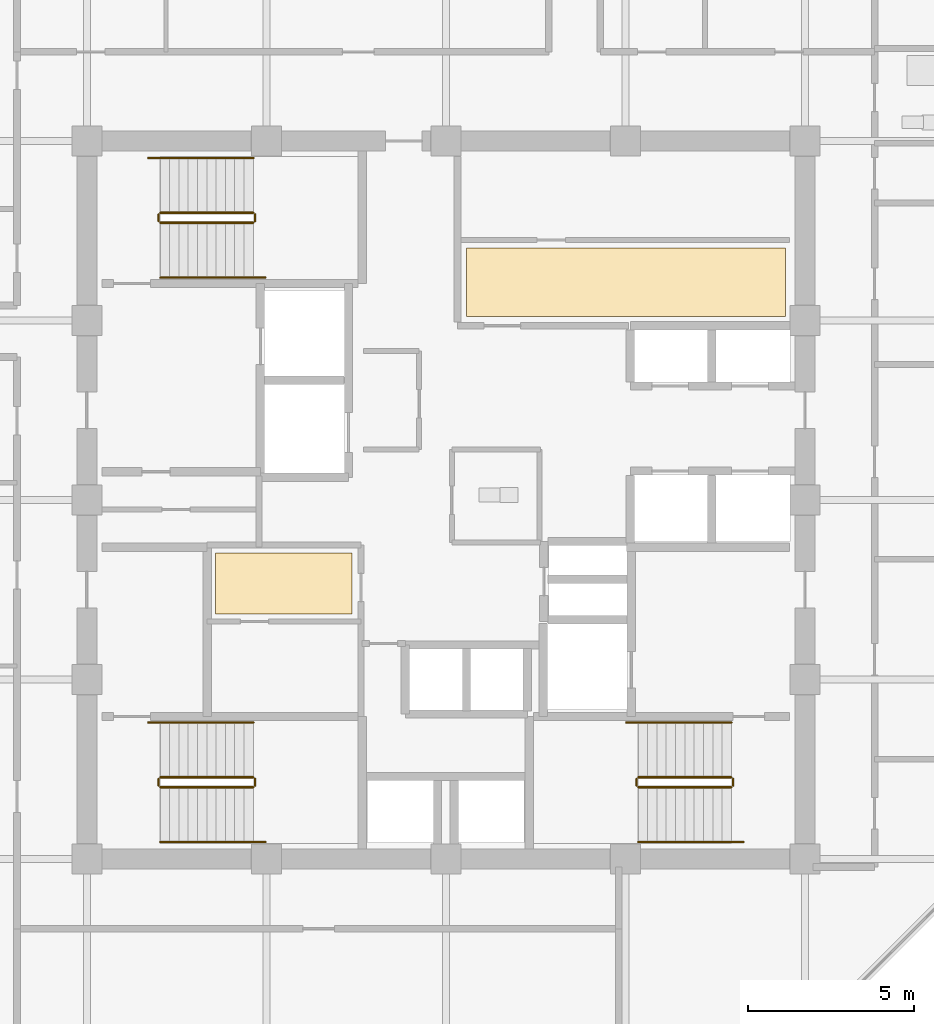
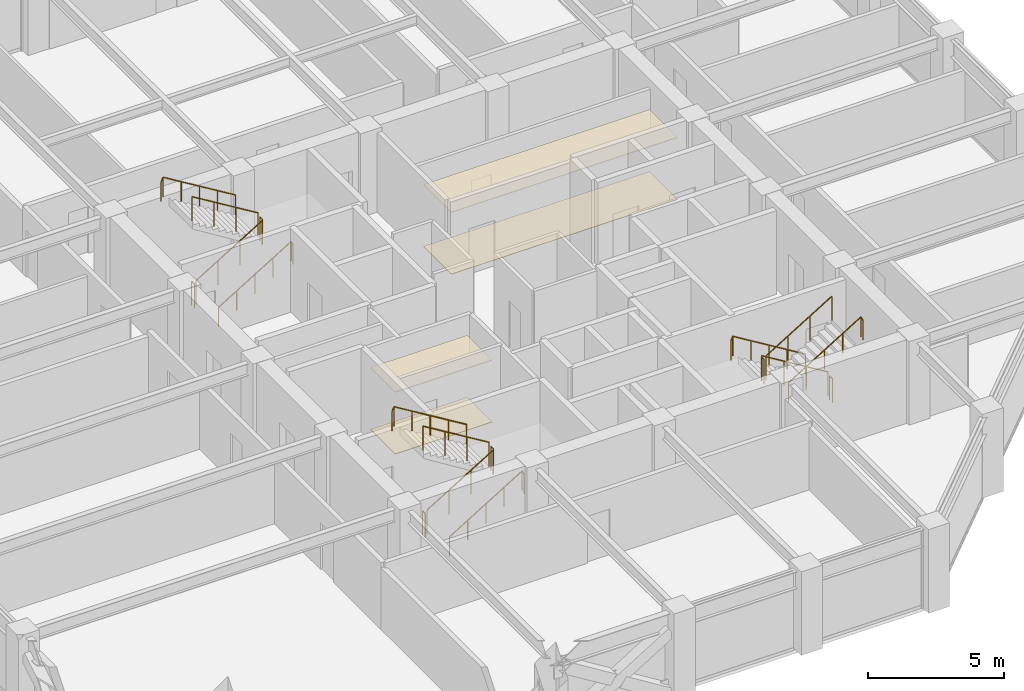
# One storey, part 31 of 32: 18 railings, 4 coverings.
"""IFC4 building model written with IfcOpenShell, lengths in metres."""

from ifc_helpers import new_model, si_unit, direction, frame, origin, origin_2d, place, context, subcontext, project, spatial, polyline, circle, outline, extrude, material, layer, layer_set, type_object, element, save


model = new_model("IFC4")

# Units and contexts
model_context = context("Model", 3, precision=1e-05, world=origin(), true_north=direction((0.0, 1.0)))
body_context = subcontext(model_context, "Body", "Model", "MODEL_VIEW")
ifc_project = project(units=[si_unit("LENGTHUNIT", "METRE"), si_unit("AREAUNIT", "SQUARE_METRE"), si_unit("VOLUMEUNIT", "CUBIC_METRE"), si_unit("PLANEANGLEUNIT", "RADIAN"), si_unit("MASSUNIT", "GRAM", prefix="KILO")], contexts=[model_context])

# Site, building, storey
site_placement = place(None, origin())
site = spatial("IfcSite", under=ifc_project, at=site_placement, CompositionType="ELEMENT")
building_placement = place(site_placement, origin())
building = spatial("IfcBuilding", under=site, at=building_placement, Name="Surkhivell Harbour Commons", CompositionType="ELEMENT")
storey_placement = place(building_placement, frame((0.0, 0.0, 201.0)))
storey = spatial("IfcBuildingStorey", under=building, at=storey_placement, Name="L52", CompositionType="ELEMENT", Elevation=201.0)

# Coverings
ifc_material_1 = material(Name="Perforated acoustic mineral-fibre ceiling tile", Category="other")
ifc_layer_1 = layer(ifc_material_1, 0.02490234375)
ifc_layer_set_1 = layer_set([ifc_layer_1], Name="Perforated acoustic mineral-fibre ceiling tile")
covering_type_1 = type_object("IfcCoveringType", Name="COV-CEIL-AC", PredefinedType="CEILING", material=ifc_layer_set_1)
covering_1_placement = place(storey_placement, frame((0.0, 0.0, 2.77490234375)))
element("IfcCovering", 1, at=covering_1_placement, inside=storey, type_object=covering_type_1, Name="L52 Suspended Acoustic Ceiling 1", PredefinedType="CEILING", context=body_context, shape_type="SweptSolid", body=[
    extrude(outline(polyline([(0.6201171875, 5.52001953125), (10.219970703125, 5.52001953125), (10.219970703125, 7.580078125), (0.6201171875, 7.580078125), (0.6201171875, 5.52001953125)])), origin(), (0.0, 0.0, 1.0), 0.025146484375),
])
ifc_material_2 = material(Name="Moisture-resistant gypsum acoustic ceiling board", Category="other")
ifc_layer_2 = layer(ifc_material_2, 0.030029296875)
ifc_layer_set_2 = layer_set([ifc_layer_2], Name="Moisture-resistant gypsum acoustic ceiling board")
covering_type_2 = type_object("IfcCoveringType", Name="COV-CEIL-GYP", PredefinedType="CEILING", material=ifc_layer_set_2)
covering_2_placement = place(storey_placement, frame((0.0, 0.0, 2.77001953125)))
element("IfcCovering", 2, at=covering_2_placement, inside=storey, type_object=covering_type_2, Name="L52 Suspended Acoustic Ceiling 2", PredefinedType="CEILING", context=body_context, shape_type="SweptSolid", body=[
    extrude(outline(polyline([(-6.929931640625, -3.429931640625), (-2.820068359375, -3.429931640625), (-2.820068359375, -1.60009765625), (-6.929931640625, -1.60009765625), (-6.929931640625, -3.429931640625)])), origin(), (0.0, 0.0, 1.0), 0.030029296875),
])
ifc_material_3 = material(Name="Engineered acoustic oak timber flooring", Category="wood")
ifc_layer_3 = layer(ifc_material_3, 0.02001953125)
ifc_layer_set_3 = layer_set([ifc_layer_3], Name="Engineered acoustic oak timber flooring")
covering_type_3 = type_object("IfcCoveringType", Name="COV-FLR-TIM", PredefinedType="FLOORING", material=ifc_layer_set_3)
covering_3_placement = place(storey_placement, origin())
element("IfcCovering", 3, at=covering_3_placement, inside=storey, type_object=covering_type_3, Name="L52 Interior Floor Finish 1", PredefinedType="FLOORING", context=body_context, shape_type="SweptSolid", body=[
    extrude(outline(polyline([(0.6201171875, 5.52001953125), (10.219970703125, 5.52001953125), (10.219970703125, 7.580078125), (0.6201171875, 7.580078125), (0.6201171875, 5.52001953125)])), origin(), (0.0, 0.0, 1.0), 0.02001953125),
])
covering_4_placement = place(storey_placement, origin())
element("IfcCovering", 4, at=covering_4_placement, inside=storey, type_object=covering_type_3, Name="L52 Interior Floor Finish 2", PredefinedType="FLOORING", context=body_context, shape_type="SweptSolid", body=[
    extrude(outline(polyline([(-6.929931640625, -3.429931640625), (-2.820068359375, -3.429931640625), (-2.820068359375, -1.60009765625), (-6.929931640625, -1.60009765625), (-6.929931640625, -3.429931640625)])), origin(), (0.0, 0.0, 1.0), 0.02001953125),
])

# Railings
ifc_material_4 = material(Name="Galvanised and painted steel S355 guard rail", Category="steel")
railing_type_1 = type_object("IfcRailingType", Name="RAL-ST-GRD1100", PredefinedType="GUARDRAIL", material=ifc_material_4)
railing_1_placement = place(storey_placement, frame((-8.590087890625, 8.340087890625, 0.17041015625)))
element("IfcRailing", 5, at=railing_1_placement, inside=storey, type_object=railing_type_1, Name="L52 ST1 stair guard 1", PredefinedType="GUARDRAIL", context=body_context, shape_type="SweptSolid", body=[
    extrude(circle(Radius=0.02392578125, at=origin_2d()), frame((0.0, 0.0, 1.076171875), z_axis=(0.854169791009, 0.0, 0.51999420009), x_axis=(0.0, 1.0, 0.0)), (0.0, 0.0, 1.0), 3.278076171875),
    extrude(circle(Radius=0.02099609375, at=origin_2d()), origin(), (0.0, 0.0, 1.0), 1.052001953125),
    extrude(circle(Radius=0.02099609375, at=origin_2d()), frame((0.933349609375, 0.0, 0.568115234375)), (0.0, 0.0, 1.0), 1.052001953125),
    extrude(circle(Radius=0.02099609375, at=origin_2d()), frame((1.86669921875, 0.0, 1.136474609375)), (0.0, 0.0, 1.0), 1.052001953125),
    extrude(circle(Radius=0.02099609375, at=origin_2d()), frame((2.800048828125, 0.0, 1.70458984375)), (0.0, 0.0, 1.0), 1.052001953125),
])
railing_2_placement = place(storey_placement, frame((-5.739990234375, 8.389892578125, 1.875)))
element("IfcRailing", 6, at=railing_2_placement, inside=storey, type_object=railing_type_1, Name="L52 ST1 stair guard 2", PredefinedType="GUARDRAIL", context=body_context, shape_type="SweptSolid", body=[
    extrude(circle(Radius=0.02392578125, at=origin_2d()), frame((0.0, 0.0, 1.076171875), z_axis=(0.0, 1.0, 0.0), x_axis=(-1.0, 0.0, 0.0)), (0.0, 0.0, 1.0), 0.2001953125),
    extrude(circle(Radius=0.02099609375, at=origin_2d()), origin(), (0.0, 0.0, 1.0), 1.052001953125),
    extrude(circle(Radius=0.02099609375, at=origin_2d()), frame((0.0, 0.2001953125, 0.0)), (0.0, 0.0, 1.0), 1.052001953125),
])
railing_3_placement = place(storey_placement, frame((-5.7900390625, 8.639892578125, 2.04541015625)))
element("IfcRailing", 7, at=railing_3_placement, inside=storey, type_object=railing_type_1, Name="L52 ST1 stair guard 3", PredefinedType="GUARDRAIL", context=body_context, shape_type="SweptSolid", body=[
    extrude(circle(Radius=0.02392578125, at=origin_2d()), frame((0.0, 0.0, 1.076171875), z_axis=(-0.854169791009, 0.0, 0.51999420009), x_axis=(0.0, -1.0, 0.0)), (0.0, 0.0, 1.0), 3.278076171875),
    extrude(circle(Radius=0.02099609375, at=origin_2d()), origin(), (0.0, 0.0, 1.0), 1.052001953125),
    extrude(circle(Radius=0.02099609375, at=origin_2d()), frame((-0.933349609375, 0.0, 0.568115234375)), (0.0, 0.0, 1.0), 1.052001953125),
    extrude(circle(Radius=0.02099609375, at=origin_2d()), frame((-1.86669921875, 0.0, 1.136474609375)), (0.0, 0.0, 1.0), 1.052001953125),
    extrude(circle(Radius=0.02099609375, at=origin_2d()), frame((-2.800048828125, 0.0, 1.70458984375)), (0.0, 0.0, 1.0), 1.052001953125),
])
railing_4_placement = place(storey_placement, frame((-8.639892578125, 8.389892578125, 0.0)))
element("IfcRailing", 8, at=railing_4_placement, inside=storey, type_object=railing_type_1, Name="L52 ST1 stair guard 4", PredefinedType="GUARDRAIL", context=body_context, shape_type="SweptSolid", body=[
    extrude(circle(Radius=0.02392578125, at=origin_2d()), frame((0.0, 0.0, 1.076171875), z_axis=(0.0, 1.0, 0.0), x_axis=(-1.0, 0.0, 0.0)), (0.0, 0.0, 1.0), 0.2001953125),
    extrude(circle(Radius=0.02099609375, at=origin_2d()), origin(), (0.0, 0.0, 1.0), 1.052001953125),
    extrude(circle(Radius=0.02099609375, at=origin_2d()), frame((0.0, 0.2001953125, 0.0)), (0.0, 0.0, 1.0), 1.052001953125),
])
railing_5_placement = place(storey_placement, frame((8.590087890625, -8.340087890625, 0.17041015625)))
element("IfcRailing", 9, at=railing_5_placement, inside=storey, type_object=railing_type_1, Name="L52 ST2 stair guard 1", PredefinedType="GUARDRAIL", context=body_context, shape_type="SweptSolid", body=[
    extrude(circle(Radius=0.02392578125, at=origin_2d()), frame((0.0, 0.0, 1.076171875), z_axis=(-0.854169791009, 0.0, 0.51999420009), x_axis=(0.0, -1.0, 0.0)), (0.0, 0.0, 1.0), 3.278076171875),
    extrude(circle(Radius=0.02099609375, at=origin_2d()), origin(), (0.0, 0.0, 1.0), 1.052001953125),
    extrude(circle(Radius=0.02099609375, at=origin_2d()), frame((-0.933349609375, 0.0, 0.568115234375)), (0.0, 0.0, 1.0), 1.052001953125),
    extrude(circle(Radius=0.02099609375, at=origin_2d()), frame((-1.86669921875, 0.0, 1.136474609375)), (0.0, 0.0, 1.0), 1.052001953125),
    extrude(circle(Radius=0.02099609375, at=origin_2d()), frame((-2.800048828125, 0.0, 1.70458984375)), (0.0, 0.0, 1.0), 1.052001953125),
])
railing_6_placement = place(storey_placement, frame((5.739990234375, -8.389892578125, 1.875)))
element("IfcRailing", 10, at=railing_6_placement, inside=storey, type_object=railing_type_1, Name="L52 ST2 stair guard 2", PredefinedType="GUARDRAIL", context=body_context, shape_type="SweptSolid", body=[
    extrude(circle(Radius=0.02392578125, at=origin_2d()), frame((0.0, 0.0, 1.076171875), z_axis=(0.0, -1.0, 0.0), x_axis=(1.0, 0.0, 0.0)), (0.0, 0.0, 1.0), 0.2001953125),
    extrude(circle(Radius=0.02099609375, at=origin_2d()), origin(), (0.0, 0.0, 1.0), 1.052001953125),
    extrude(circle(Radius=0.02099609375, at=origin_2d()), frame((0.0, -0.2001953125, 0.0)), (0.0, 0.0, 1.0), 1.052001953125),
])
railing_7_placement = place(storey_placement, frame((5.7900390625, -8.639892578125, 2.04541015625)))
element("IfcRailing", 11, at=railing_7_placement, inside=storey, type_object=railing_type_1, Name="L52 ST2 stair guard 3", PredefinedType="GUARDRAIL", context=body_context, shape_type="SweptSolid", body=[
    extrude(circle(Radius=0.02392578125, at=origin_2d()), frame((0.0, 0.0, 1.076171875), z_axis=(0.854169791009, 0.0, 0.51999420009), x_axis=(0.0, 1.0, 0.0)), (0.0, 0.0, 1.0), 3.278076171875),
    extrude(circle(Radius=0.02099609375, at=origin_2d()), origin(), (0.0, 0.0, 1.0), 1.052001953125),
    extrude(circle(Radius=0.02099609375, at=origin_2d()), frame((0.933349609375, 0.0, 0.568115234375)), (0.0, 0.0, 1.0), 1.052001953125),
    extrude(circle(Radius=0.02099609375, at=origin_2d()), frame((1.86669921875, 0.0, 1.136474609375)), (0.0, 0.0, 1.0), 1.052001953125),
    extrude(circle(Radius=0.02099609375, at=origin_2d()), frame((2.800048828125, 0.0, 1.70458984375)), (0.0, 0.0, 1.0), 1.052001953125),
])
railing_8_placement = place(storey_placement, frame((8.639892578125, -8.389892578125, 0.0)))
element("IfcRailing", 12, at=railing_8_placement, inside=storey, type_object=railing_type_1, Name="L52 ST2 stair guard 4", PredefinedType="GUARDRAIL", context=body_context, shape_type="SweptSolid", body=[
    extrude(circle(Radius=0.02392578125, at=origin_2d()), frame((0.0, 0.0, 1.076171875), z_axis=(0.0, -1.0, 0.0), x_axis=(1.0, 0.0, 0.0)), (0.0, 0.0, 1.0), 0.2001953125),
    extrude(circle(Radius=0.02099609375, at=origin_2d()), origin(), (0.0, 0.0, 1.0), 1.052001953125),
    extrude(circle(Radius=0.02099609375, at=origin_2d()), frame((0.0, -0.2001953125, 0.0)), (0.0, 0.0, 1.0), 1.052001953125),
])
railing_9_placement = place(storey_placement, frame((-8.590087890625, -8.639892578125, 0.17041015625)))
element("IfcRailing", 13, at=railing_9_placement, inside=storey, type_object=railing_type_1, Name="L52 ST3 stair guard 1", PredefinedType="GUARDRAIL", context=body_context, shape_type="SweptSolid", body=[
    extrude(circle(Radius=0.02392578125, at=origin_2d()), frame((0.0, 0.0, 1.076171875), z_axis=(0.854169791009, 0.0, 0.51999420009), x_axis=(0.0, 1.0, 0.0)), (0.0, 0.0, 1.0), 3.278076171875),
    extrude(circle(Radius=0.02099609375, at=origin_2d()), origin(), (0.0, 0.0, 1.0), 1.052001953125),
    extrude(circle(Radius=0.02099609375, at=origin_2d()), frame((0.933349609375, 0.0, 0.568115234375)), (0.0, 0.0, 1.0), 1.052001953125),
    extrude(circle(Radius=0.02099609375, at=origin_2d()), frame((1.86669921875, 0.0, 1.136474609375)), (0.0, 0.0, 1.0), 1.052001953125),
    extrude(circle(Radius=0.02099609375, at=origin_2d()), frame((2.800048828125, 0.0, 1.70458984375)), (0.0, 0.0, 1.0), 1.052001953125),
])
railing_10_placement = place(storey_placement, frame((-5.739990234375, -8.590087890625, 1.875)))
element("IfcRailing", 14, at=railing_10_placement, inside=storey, type_object=railing_type_1, Name="L52 ST3 stair guard 2", PredefinedType="GUARDRAIL", context=body_context, shape_type="SweptSolid", body=[
    extrude(circle(Radius=0.02392578125, at=origin_2d()), frame((0.0, 0.0, 1.076171875), z_axis=(0.0, 1.0, 0.0), x_axis=(-1.0, 0.0, 0.0)), (0.0, 0.0, 1.0), 0.2001953125),
    extrude(circle(Radius=0.02099609375, at=origin_2d()), origin(), (0.0, 0.0, 1.0), 1.052001953125),
    extrude(circle(Radius=0.02099609375, at=origin_2d()), frame((0.0, 0.2001953125, 0.0)), (0.0, 0.0, 1.0), 1.052001953125),
])
railing_11_placement = place(storey_placement, frame((-5.7900390625, -8.340087890625, 2.04541015625)))
element("IfcRailing", 15, at=railing_11_placement, inside=storey, type_object=railing_type_1, Name="L52 ST3 stair guard 3", PredefinedType="GUARDRAIL", context=body_context, shape_type="SweptSolid", body=[
    extrude(circle(Radius=0.02392578125, at=origin_2d()), frame((0.0, 0.0, 1.076171875), z_axis=(-0.854169791009, 0.0, 0.51999420009), x_axis=(0.0, -1.0, 0.0)), (0.0, 0.0, 1.0), 3.278076171875),
    extrude(circle(Radius=0.02099609375, at=origin_2d()), origin(), (0.0, 0.0, 1.0), 1.052001953125),
    extrude(circle(Radius=0.02099609375, at=origin_2d()), frame((-0.933349609375, 0.0, 0.568115234375)), (0.0, 0.0, 1.0), 1.052001953125),
    extrude(circle(Radius=0.02099609375, at=origin_2d()), frame((-1.86669921875, 0.0, 1.136474609375)), (0.0, 0.0, 1.0), 1.052001953125),
    extrude(circle(Radius=0.02099609375, at=origin_2d()), frame((-2.800048828125, 0.0, 1.70458984375)), (0.0, 0.0, 1.0), 1.052001953125),
])
railing_12_placement = place(storey_placement, frame((-8.639892578125, -8.590087890625, 0.0)))
element("IfcRailing", 16, at=railing_12_placement, inside=storey, type_object=railing_type_1, Name="L52 ST3 stair guard 4", PredefinedType="GUARDRAIL", context=body_context, shape_type="SweptSolid", body=[
    extrude(circle(Radius=0.02392578125, at=origin_2d()), frame((0.0, 0.0, 1.076171875), z_axis=(0.0, 1.0, 0.0), x_axis=(-1.0, 0.0, 0.0)), (0.0, 0.0, 1.0), 0.2001953125),
    extrude(circle(Radius=0.02099609375, at=origin_2d()), origin(), (0.0, 0.0, 1.0), 1.052001953125),
    extrude(circle(Radius=0.02099609375, at=origin_2d()), frame((0.0, 0.2001953125, 0.0)), (0.0, 0.0, 1.0), 1.052001953125),
])
ifc_material_5 = material(Name="Brushed stainless steel S355 handrail", Category="steel")
railing_type_2 = type_object("IfcRailingType", Name="RAL-ST-HND900", PredefinedType="HANDRAIL", material=ifc_material_5)
railing_13_placement = place(storey_placement, frame((-8.590087890625, 6.68994140625, 0.17041015625)))
element("IfcRailing", 17, at=railing_13_placement, inside=storey, type_object=railing_type_2, Name="L52 ST1 stair handrail 1", PredefinedType="HANDRAIL", context=body_context, shape_type="SweptSolid", body=[
    extrude(circle(Radius=0.02392578125, at=origin_2d()), frame((0.0, 0.0, 0.8759765625), z_axis=(0.854177636135, 0.0, 0.519981313056), x_axis=(0.0, 1.0, 0.0)), (0.0, 0.0, 1.0), 3.60595703125),
    extrude(circle(Radius=0.02392578125, at=origin_2d()), frame((3.080078125, 0.0, 2.7509765625), z_axis=(0.425297416671, 0.0, -0.905053648892), x_axis=(0.0, 1.0, 0.0)), (0.0, 0.0, 1.0), 0.188232421875),
    extrude(circle(Radius=0.02099609375, at=origin_2d()), origin(), (0.0, 0.0, 1.0), 0.851806640625),
    extrude(circle(Radius=0.02099609375, at=origin_2d()), frame((0.77001953125, 0.0, 0.46875)), (0.0, 0.0, 1.0), 0.851806640625),
    extrude(circle(Radius=0.02099609375, at=origin_2d()), frame((1.5400390625, 0.0, 0.9375)), (0.0, 0.0, 1.0), 0.851806640625),
    extrude(circle(Radius=0.02099609375, at=origin_2d()), frame((2.31005859375, 0.0, 1.40625)), (0.0, 0.0, 1.0), 0.851806640625),
    extrude(circle(Radius=0.02099609375, at=origin_2d()), frame((3.080078125, 0.0, 1.875)), (0.0, 0.0, 1.0), 0.851806640625),
    extrude(circle(Radius=0.02099609375, at=origin_2d()), frame((3.16015625, 0.0, 1.70458984375)), (0.0, 0.0, 1.0), 0.851806640625),
])
railing_14_placement = place(storey_placement, frame((-5.7900390625, 10.2900390625, 2.04541015625)))
element("IfcRailing", 18, at=railing_14_placement, inside=storey, type_object=railing_type_2, Name="L52 ST1 stair handrail 2", PredefinedType="HANDRAIL", context=body_context, shape_type="SweptSolid", body=[
    extrude(circle(Radius=0.02392578125, at=origin_2d()), frame((0.0, 0.0, 0.8759765625), z_axis=(-0.854177636135, 0.0, 0.519981313056), x_axis=(0.0, -1.0, 0.0)), (0.0, 0.0, 1.0), 3.60595703125),
    extrude(circle(Radius=0.02392578125, at=origin_2d()), frame((-3.080078125, 0.0, 2.7509765625), z_axis=(-0.424234432967, 0.0, -0.905552398199), x_axis=(0.0, -1.0, 0.0)), (0.0, 0.0, 1.0), 0.188232421875),
    extrude(circle(Radius=0.02099609375, at=origin_2d()), origin(), (0.0, 0.0, 1.0), 0.851806640625),
    extrude(circle(Radius=0.02099609375, at=origin_2d()), frame((-0.77001953125, 0.0, 0.46875)), (0.0, 0.0, 1.0), 0.851806640625),
    extrude(circle(Radius=0.02099609375, at=origin_2d()), frame((-1.5400390625, 0.0, 0.9375)), (0.0, 0.0, 1.0), 0.851806640625),
    extrude(circle(Radius=0.02099609375, at=origin_2d()), frame((-2.31005859375, 0.0, 1.40625)), (0.0, 0.0, 1.0), 0.851806640625),
    extrude(circle(Radius=0.02099609375, at=origin_2d()), frame((-3.080078125, 0.0, 1.875)), (0.0, 0.0, 1.0), 0.851806640625),
    extrude(circle(Radius=0.02099609375, at=origin_2d()), frame((-3.159912109375, 0.0, 1.70458984375)), (0.0, 0.0, 1.0), 0.851806640625),
])
railing_15_placement = place(storey_placement, frame((8.590087890625, -6.68994140625, 0.17041015625)))
element("IfcRailing", 19, at=railing_15_placement, inside=storey, type_object=railing_type_2, Name="L52 ST2 stair handrail 1", PredefinedType="HANDRAIL", context=body_context, shape_type="SweptSolid", body=[
    extrude(circle(Radius=0.02392578125, at=origin_2d()), frame((0.0, 0.0, 0.8759765625), z_axis=(-0.854177636135, 0.0, 0.519981313056), x_axis=(0.0, -1.0, 0.0)), (0.0, 0.0, 1.0), 3.60595703125),
    extrude(circle(Radius=0.02392578125, at=origin_2d()), frame((-3.080078125, 0.0, 2.7509765625), z_axis=(-0.425297416671, 0.0, -0.905053648892), x_axis=(0.0, -1.0, 0.0)), (0.0, 0.0, 1.0), 0.188232421875),
    extrude(circle(Radius=0.02099609375, at=origin_2d()), origin(), (0.0, 0.0, 1.0), 0.851806640625),
    extrude(circle(Radius=0.02099609375, at=origin_2d()), frame((-0.77001953125, 0.0, 0.46875)), (0.0, 0.0, 1.0), 0.851806640625),
    extrude(circle(Radius=0.02099609375, at=origin_2d()), frame((-1.5400390625, 0.0, 0.9375)), (0.0, 0.0, 1.0), 0.851806640625),
    extrude(circle(Radius=0.02099609375, at=origin_2d()), frame((-2.31005859375, 0.0, 1.40625)), (0.0, 0.0, 1.0), 0.851806640625),
    extrude(circle(Radius=0.02099609375, at=origin_2d()), frame((-3.080078125, 0.0, 1.875)), (0.0, 0.0, 1.0), 0.851806640625),
    extrude(circle(Radius=0.02099609375, at=origin_2d()), frame((-3.16015625, 0.0, 1.70458984375)), (0.0, 0.0, 1.0), 0.851806640625),
])
railing_16_placement = place(storey_placement, frame((5.7900390625, -10.2900390625, 2.04541015625)))
element("IfcRailing", 20, at=railing_16_placement, inside=storey, type_object=railing_type_2, Name="L52 ST2 stair handrail 2", PredefinedType="HANDRAIL", context=body_context, shape_type="SweptSolid", body=[
    extrude(circle(Radius=0.02392578125, at=origin_2d()), frame((0.0, 0.0, 0.8759765625), z_axis=(0.854177636135, 0.0, 0.519981313056), x_axis=(0.0, 1.0, 0.0)), (0.0, 0.0, 1.0), 3.60595703125),
    extrude(circle(Radius=0.02392578125, at=origin_2d()), frame((3.080078125, 0.0, 2.7509765625), z_axis=(0.424234432967, 0.0, -0.905552398199), x_axis=(0.0, 1.0, 0.0)), (0.0, 0.0, 1.0), 0.188232421875),
    extrude(circle(Radius=0.02099609375, at=origin_2d()), origin(), (0.0, 0.0, 1.0), 0.851806640625),
    extrude(circle(Radius=0.02099609375, at=origin_2d()), frame((0.77001953125, 0.0, 0.46875)), (0.0, 0.0, 1.0), 0.851806640625),
    extrude(circle(Radius=0.02099609375, at=origin_2d()), frame((1.5400390625, 0.0, 0.9375)), (0.0, 0.0, 1.0), 0.851806640625),
    extrude(circle(Radius=0.02099609375, at=origin_2d()), frame((2.31005859375, 0.0, 1.40625)), (0.0, 0.0, 1.0), 0.851806640625),
    extrude(circle(Radius=0.02099609375, at=origin_2d()), frame((3.080078125, 0.0, 1.875)), (0.0, 0.0, 1.0), 0.851806640625),
    extrude(circle(Radius=0.02099609375, at=origin_2d()), frame((3.159912109375, 0.0, 1.70458984375)), (0.0, 0.0, 1.0), 0.851806640625),
])
railing_17_placement = place(storey_placement, frame((-8.590087890625, -10.2900390625, 0.17041015625)))
element("IfcRailing", 21, at=railing_17_placement, inside=storey, type_object=railing_type_2, Name="L52 ST3 stair handrail 1", PredefinedType="HANDRAIL", context=body_context, shape_type="SweptSolid", body=[
    extrude(circle(Radius=0.02392578125, at=origin_2d()), frame((0.0, 0.0, 0.8759765625), z_axis=(0.854177636135, 0.0, 0.519981313056), x_axis=(0.0, 1.0, 0.0)), (0.0, 0.0, 1.0), 3.60595703125),
    extrude(circle(Radius=0.02392578125, at=origin_2d()), frame((3.080078125, 0.0, 2.7509765625), z_axis=(0.425297416671, 0.0, -0.905053648892), x_axis=(0.0, 1.0, 0.0)), (0.0, 0.0, 1.0), 0.188232421875),
    extrude(circle(Radius=0.02099609375, at=origin_2d()), origin(), (0.0, 0.0, 1.0), 0.851806640625),
    extrude(circle(Radius=0.02099609375, at=origin_2d()), frame((0.77001953125, 0.0, 0.46875)), (0.0, 0.0, 1.0), 0.851806640625),
    extrude(circle(Radius=0.02099609375, at=origin_2d()), frame((1.5400390625, 0.0, 0.9375)), (0.0, 0.0, 1.0), 0.851806640625),
    extrude(circle(Radius=0.02099609375, at=origin_2d()), frame((2.31005859375, 0.0, 1.40625)), (0.0, 0.0, 1.0), 0.851806640625),
    extrude(circle(Radius=0.02099609375, at=origin_2d()), frame((3.080078125, 0.0, 1.875)), (0.0, 0.0, 1.0), 0.851806640625),
    extrude(circle(Radius=0.02099609375, at=origin_2d()), frame((3.16015625, 0.0, 1.70458984375)), (0.0, 0.0, 1.0), 0.851806640625),
])
railing_18_placement = place(storey_placement, frame((-5.7900390625, -6.68994140625, 2.04541015625)))
element("IfcRailing", 22, at=railing_18_placement, inside=storey, type_object=railing_type_2, Name="L52 ST3 stair handrail 2", PredefinedType="HANDRAIL", context=body_context, shape_type="SweptSolid", body=[
    extrude(circle(Radius=0.02392578125, at=origin_2d()), frame((0.0, 0.0, 0.8759765625), z_axis=(-0.854177636135, 0.0, 0.519981313056), x_axis=(0.0, -1.0, 0.0)), (0.0, 0.0, 1.0), 3.60595703125),
    extrude(circle(Radius=0.02392578125, at=origin_2d()), frame((-3.080078125, 0.0, 2.7509765625), z_axis=(-0.424234432967, 0.0, -0.905552398199), x_axis=(0.0, -1.0, 0.0)), (0.0, 0.0, 1.0), 0.188232421875),
    extrude(circle(Radius=0.02099609375, at=origin_2d()), origin(), (0.0, 0.0, 1.0), 0.851806640625),
    extrude(circle(Radius=0.02099609375, at=origin_2d()), frame((-0.77001953125, 0.0, 0.46875)), (0.0, 0.0, 1.0), 0.851806640625),
    extrude(circle(Radius=0.02099609375, at=origin_2d()), frame((-1.5400390625, 0.0, 0.9375)), (0.0, 0.0, 1.0), 0.851806640625),
    extrude(circle(Radius=0.02099609375, at=origin_2d()), frame((-2.31005859375, 0.0, 1.40625)), (0.0, 0.0, 1.0), 0.851806640625),
    extrude(circle(Radius=0.02099609375, at=origin_2d()), frame((-3.080078125, 0.0, 1.875)), (0.0, 0.0, 1.0), 0.851806640625),
    extrude(circle(Radius=0.02099609375, at=origin_2d()), frame((-3.159912109375, 0.0, 1.70458984375)), (0.0, 0.0, 1.0), 0.851806640625),
])

save(model, "model.ifc")
